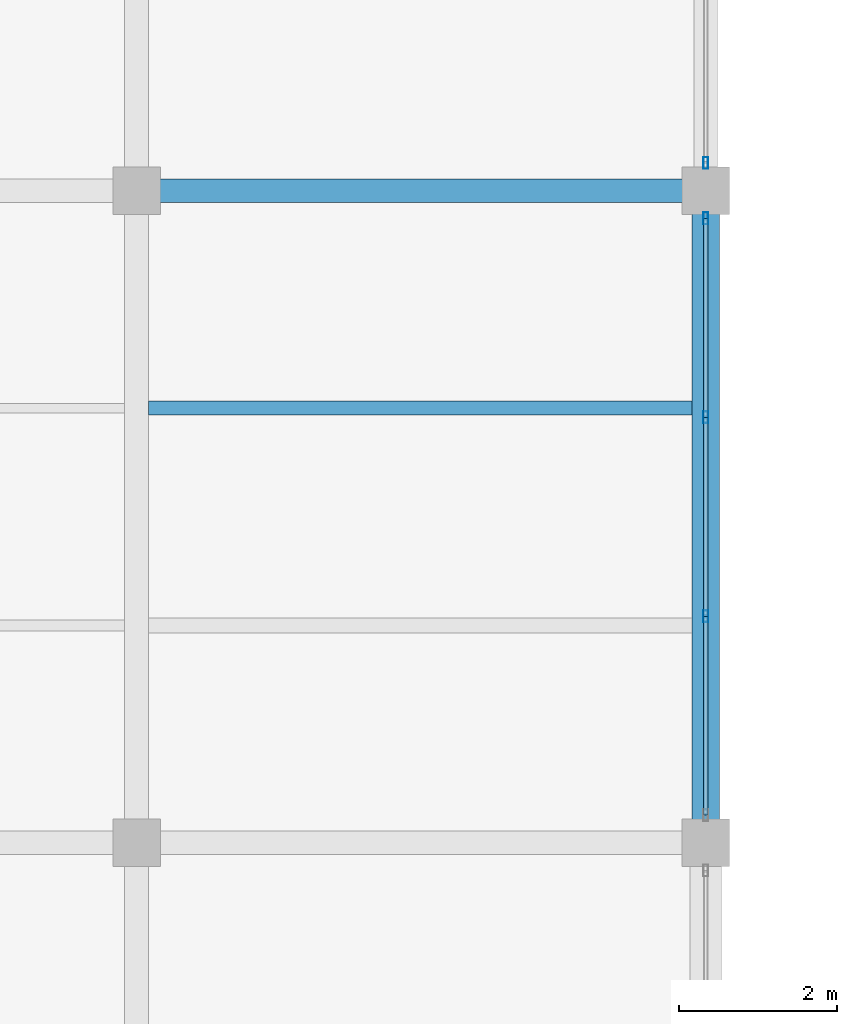
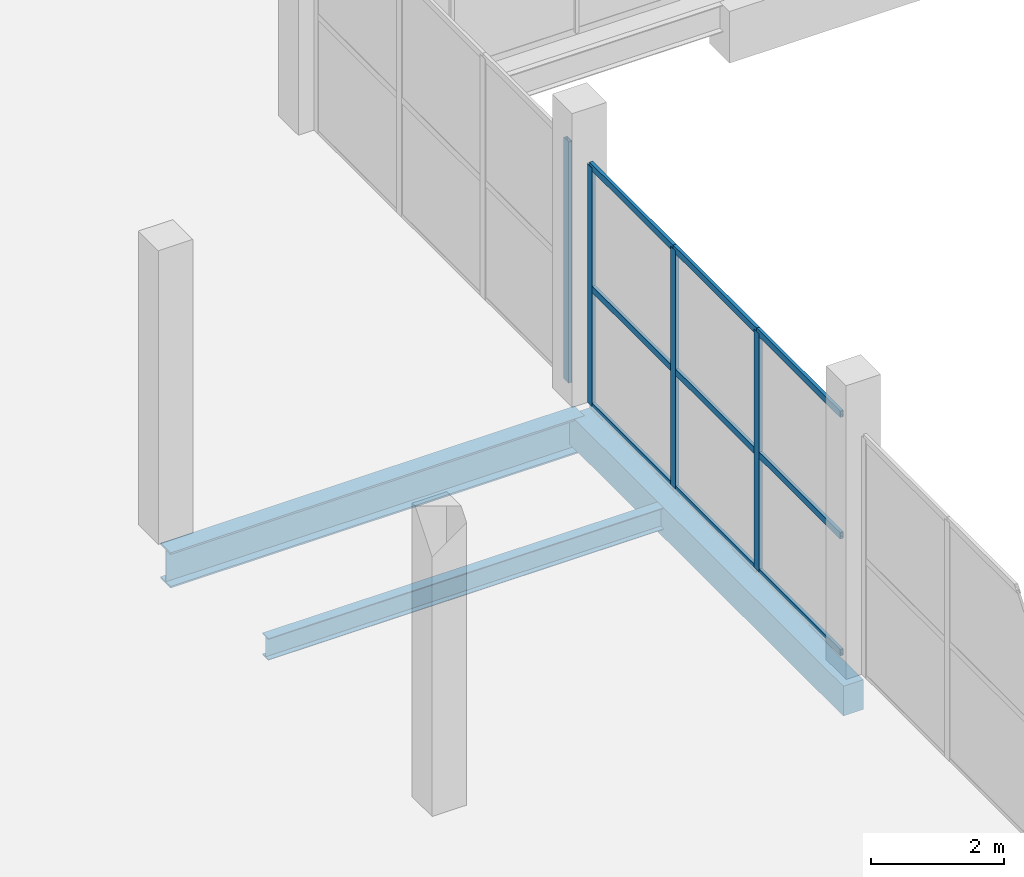
# One storey, part 54 of 141: 13 members, 3 beams, 2 elements without a shape of their own.
"""IFC4 building model written with IfcOpenShell, lengths in metres."""

from ifc_helpers import new_model, si_unit, direction, frame, origin, origin_2d, place, context, subcontext, project, spatial, rectangle, hollow_rectangle, i_section, extrude, material, layer, layer_set, material_profile, profile_set, type_object, element, aggregate, save


model = new_model("IFC4")

# Units and contexts
model_context = context("Model", 3, precision=1e-05, world=origin(), true_north=direction((0.0, 1.0)))
body_context = subcontext(model_context, "Body", "Model", "MODEL_VIEW")
ifc_project = project(units=[si_unit("LENGTHUNIT", "METRE"), si_unit("AREAUNIT", "SQUARE_METRE"), si_unit("VOLUMEUNIT", "CUBIC_METRE"), si_unit("PLANEANGLEUNIT", "RADIAN"), si_unit("MASSUNIT", "GRAM", prefix="KILO")], contexts=[model_context])

# Site, building, storey
site_placement = place(None, origin())
site = spatial("IfcSite", under=ifc_project, at=site_placement, CompositionType="ELEMENT")
building_placement = place(site_placement, origin())
building = spatial("IfcBuilding", under=site, at=building_placement, Name="Sundgate Opera House", CompositionType="ELEMENT")
storey_placement = place(building_placement, frame((0.0, 0.0, 11.39990234375)))
storey = spatial("IfcBuildingStorey", under=building, at=storey_placement, Name="L02", CompositionType="ELEMENT", Elevation=11.39990234375)

# Beams
ifc_material_1 = material(Name="Steel S355J2", Category="steel")
ifc_material_profile_1 = material_profile(ifc_material_1, i_section(OverallWidth=0.300048828125, OverallDepth=0.64990234375, WebThickness=0.01611328125, FlangeThickness=0.031005859375, at=origin_2d()), Name="HEB 650")
ifc_profile_set_1 = profile_set([ifc_material_profile_1], Name="Steel S355J2")
beam_type_1 = type_object("IfcBeamType", Name="BM-GR-HEB650", PredefinedType="BEAM", material=ifc_profile_set_1)
beam_1_placement = place(storey_placement, frame((117.0, 103.5, -0.6748046875), z_axis=(1.0, 0.0, 0.0), x_axis=(0.0, 1.0, 0.0)))
element("IfcBeam", 1, at=beam_1_placement, inside=storey, type_object=beam_type_1, Name="L02 Primary E-W Girder B2092", PredefinedType="BEAM", context=body_context, shape_type="SweptSolid", body=[
    extrude(i_section(OverallWidth=0.300048828125, OverallDepth=0.64990234375, WebThickness=0.01611328125, FlangeThickness=0.031005859375, at=origin_2d()), origin(), (0.0, 0.0, 1.0), 7.199951171875),
])
ifc_material_2 = material(Name="Steel S355J2", Category="steel")
ifc_material_profile_2 = material_profile(ifc_material_2, i_section(OverallWidth=0.179931640625, OverallDepth=0.39990234375, WebThickness=0.008544921875, FlangeThickness=0.013427734375, at=origin_2d()), Name="IPE 400")
ifc_profile_set_2 = profile_set([ifc_material_profile_2], Name="Steel S355J2")
beam_type_2 = type_object("IfcBeamType", Name="BM-JS-IPE400", PredefinedType="JOIST", material=ifc_profile_set_2)
beam_2_placement = place(storey_placement, frame((117.14990234375, 100.75, -0.5498046875), z_axis=(1.0, 0.0, 0.0), x_axis=(0.0, 1.0, 0.0)))
element("IfcBeam", 2, at=beam_2_placement, inside=storey, type_object=beam_type_2, Name="L02 Secondary Floor Joist B2382", PredefinedType="JOIST", context=body_context, shape_type="SweptSolid", body=[
    extrude(i_section(OverallWidth=0.179931640625, OverallDepth=0.39990234375, WebThickness=0.008544921875, FlangeThickness=0.013427734375, at=origin_2d()), origin(), (0.0, 0.0, 1.0), 6.875),
])
ifc_material_3 = material(Name="Concrete C35/45", Category="concrete")
ifc_material_profile_3 = material_profile(ifc_material_3, rectangle(XDim=0.35009765625, YDim=0.550048828125, at=origin_2d()), Name="RC 350x550")
ifc_profile_set_3 = profile_set([ifc_material_profile_3], Name="Concrete C35/45")
beam_type_3 = type_object("IfcBeamType", Name="BM-RC-350x550", PredefinedType="BEAM", material=ifc_profile_set_3)
beam_3_placement = place(storey_placement, frame((124.199951171875, 95.25, -0.625), z_axis=(0.0, 1.0, 0.0), x_axis=(-1.0, 0.0, 0.0)))
element("IfcBeam", 3, at=beam_3_placement, inside=storey, type_object=beam_type_3, Name="L02 Primary N-S Girder B1900", PredefinedType="BEAM", context=body_context, shape_type="SweptSolid", body=[
    extrude(rectangle(XDim=0.35009765625, YDim=0.550048828125, at=origin_2d()), origin(), (0.0, 0.0, 1.0), 8.25),
])

# Curtain wall, members
ifc_material_4 = material(Name="Anodized aluminium and low-iron glass", Category="aluminium")
ifc_layer = layer(ifc_material_4, 0.159912109375)
ifc_layer_set = layer_set([ifc_layer], Name="Anodized aluminium and low-iron glass")
curtain_wall_type = type_object("IfcCurtainWallType", Name="CW-STUDIO-DARK", PredefinedType="NOTDEFINED", material=ifc_layer_set)
curtain_wall_1_placement = place(storey_placement, origin())
curtain_wall_1 = element("IfcCurtainWall", 4, at=curtain_wall_1_placement, inside=storey, type_object=curtain_wall_type, Name="L02 Curtain Wall CW118", PredefinedType="NOTDEFINED")
ifc_material_5 = material(Name="Anodized aluminium EN AW-6063", Category="aluminium")
ifc_material_profile_4 = material_profile(ifc_material_5, hollow_rectangle(XDim=0.06005859375, YDim=0.14990234375, WallThickness=0.00390625, at=origin_2d()), Name="CWM 150x60x4")
ifc_profile_set_4 = profile_set([ifc_material_profile_4], Name="Anodized aluminium EN AW-6063")
member_type_1 = type_object("IfcMemberType", Name="CWM-ALU-150x60", PredefinedType="MULLION", material=ifc_profile_set_4)
member_1_placement = place(storey_placement, frame((124.199951171875, 98.11669921875, 0.0), z_axis=(0.0, 0.0, 1.0), x_axis=(1.0, 0.0, 0.0)))
member_1 = element("IfcMember", 5, at=member_1_placement, type_object=member_type_1, Name="CW118 Mullion 2", PredefinedType="MULLION", context=body_context, shape_type="SweptSolid", body=[
    extrude(hollow_rectangle(XDim=0.06005859375, YDim=0.14990234375, WallThickness=0.00390625, at=origin_2d()), origin(), (0.0, 0.0, 1.0), 4.385009765625),
])
member_2_placement = place(storey_placement, frame((124.199951171875, 100.63330078125, 0.0), z_axis=(0.0, 0.0, 1.0), x_axis=(1.0, 0.0, 0.0)))
member_2 = element("IfcMember", 6, at=member_2_placement, type_object=member_type_1, Name="CW118 Mullion 3", PredefinedType="MULLION", context=body_context, shape_type="SweptSolid", body=[
    extrude(hollow_rectangle(XDim=0.06005859375, YDim=0.14990234375, WallThickness=0.00390625, at=origin_2d()), origin(), (0.0, 0.0, 1.0), 4.385009765625),
])
member_3_placement = place(storey_placement, frame((124.199951171875, 103.14990234375, 0.0), z_axis=(0.0, 0.0, 1.0), x_axis=(1.0, 0.0, 0.0)))
member_3 = element("IfcMember", 7, at=member_3_placement, type_object=member_type_1, Name="CW118 Mullion 4", PredefinedType="MULLION", context=body_context, shape_type="SweptSolid", body=[
    extrude(hollow_rectangle(XDim=0.06005859375, YDim=0.14990234375, WallThickness=0.00390625, at=origin_2d()), origin(), (0.0, 0.0, 1.0), 4.385009765625),
])

# Curtain wall, member
curtain_wall_2_placement = place(storey_placement, origin())
curtain_wall_2 = element("IfcCurtainWall", 8, at=curtain_wall_2_placement, inside=storey, type_object=curtain_wall_type, Name="L02 Curtain Wall CW120", PredefinedType="NOTDEFINED")
member_4_placement = place(storey_placement, frame((124.199951171875, 103.85009765625, 0.0), z_axis=(0.0, 0.0, 1.0), x_axis=(1.0, 0.0, 0.0)))
member_4 = element("IfcMember", 9, at=member_4_placement, type_object=member_type_1, Name="CW120 Mullion 1", PredefinedType="MULLION", context=body_context, shape_type="SweptSolid", body=[
    extrude(hollow_rectangle(XDim=0.06005859375, YDim=0.14990234375, WallThickness=0.00390625, at=origin_2d()), origin(), (0.0, 0.0, 1.0), 4.43505859375),
])
aggregate(curtain_wall_2, [member_4])

# Member
ifc_material_6 = material(Name="Anodized aluminium EN AW-6063", Category="aluminium")
ifc_material_profile_5 = material_profile(ifc_material_6, hollow_rectangle(XDim=0.054931640625, YDim=0.1201171875, WallThickness=0.00390625, at=origin_2d()), Name="CWT 120x55x4")
ifc_profile_set_5 = profile_set([ifc_material_profile_5], Name="Anodized aluminium EN AW-6063")
member_type_2 = type_object("IfcMemberType", Name="CWT-ALU-120x55", PredefinedType="USERDEFINED", material=ifc_profile_set_5)
member_5_placement = place(storey_placement, frame((124.199951171875, 95.60009765625, 0.0), z_axis=(0.0, 1.0, 0.0), x_axis=(-1.0, 0.0, 0.0)))
member_5 = element("IfcMember", 10, at=member_5_placement, type_object=member_type_2, Name="CW118 Transom 1", ObjectType="TRANSOM", PredefinedType="USERDEFINED", context=body_context, shape_type="SweptSolid", body=[
    extrude(hollow_rectangle(XDim=0.054931640625, YDim=0.1201171875, WallThickness=0.00390625, at=origin_2d()), origin(), (0.0, 0.0, 1.0), 2.5166015625),
])

member_6_placement = place(storey_placement, frame((124.199951171875, 95.60009765625, 2.150146484375), z_axis=(0.0, 1.0, 0.0), x_axis=(-1.0, 0.0, 0.0)))
member_6 = element("IfcMember", 11, at=member_6_placement, type_object=member_type_2, Name="CW118 Transom 2", ObjectType="TRANSOM", PredefinedType="USERDEFINED", context=body_context, shape_type="SweptSolid", body=[
    extrude(hollow_rectangle(XDim=0.054931640625, YDim=0.1201171875, WallThickness=0.00390625, at=origin_2d()), origin(), (0.0, 0.0, 1.0), 2.5166015625),
])

member_7_placement = place(storey_placement, frame((124.199951171875, 95.60009765625, 4.385009765625), z_axis=(0.0, 1.0, 0.0), x_axis=(-1.0, 0.0, 0.0)))
member_7 = element("IfcMember", 12, at=member_7_placement, type_object=member_type_2, Name="CW118 Transom 3", ObjectType="TRANSOM", PredefinedType="USERDEFINED", context=body_context, shape_type="SweptSolid", body=[
    extrude(hollow_rectangle(XDim=0.054931640625, YDim=0.1201171875, WallThickness=0.00390625, at=origin_2d()), origin(), (0.0, 0.0, 1.0), 2.5166015625),
])

member_8_placement = place(storey_placement, frame((124.199951171875, 98.11669921875, 0.0), z_axis=(0.0, 1.0, 0.0), x_axis=(-1.0, 0.0, 0.0)))
member_8 = element("IfcMember", 13, at=member_8_placement, type_object=member_type_2, Name="CW118 Transom 4", ObjectType="TRANSOM", PredefinedType="USERDEFINED", context=body_context, shape_type="SweptSolid", body=[
    extrude(hollow_rectangle(XDim=0.054931640625, YDim=0.1201171875, WallThickness=0.00390625, at=origin_2d()), origin(), (0.0, 0.0, 1.0), 2.5166015625),
])

member_9_placement = place(storey_placement, frame((124.199951171875, 98.11669921875, 2.150146484375), z_axis=(0.0, 1.0, 0.0), x_axis=(-1.0, 0.0, 0.0)))
member_9 = element("IfcMember", 14, at=member_9_placement, type_object=member_type_2, Name="CW118 Transom 5", ObjectType="TRANSOM", PredefinedType="USERDEFINED", context=body_context, shape_type="SweptSolid", body=[
    extrude(hollow_rectangle(XDim=0.054931640625, YDim=0.1201171875, WallThickness=0.00390625, at=origin_2d()), origin(), (0.0, 0.0, 1.0), 2.5166015625),
])

member_10_placement = place(storey_placement, frame((124.199951171875, 98.11669921875, 4.385009765625), z_axis=(0.0, 1.0, 0.0), x_axis=(-1.0, 0.0, 0.0)))
member_10 = element("IfcMember", 15, at=member_10_placement, type_object=member_type_2, Name="CW118 Transom 6", ObjectType="TRANSOM", PredefinedType="USERDEFINED", context=body_context, shape_type="SweptSolid", body=[
    extrude(hollow_rectangle(XDim=0.054931640625, YDim=0.1201171875, WallThickness=0.00390625, at=origin_2d()), origin(), (0.0, 0.0, 1.0), 2.5166015625),
])

member_11_placement = place(storey_placement, frame((124.199951171875, 100.63330078125, 0.0), z_axis=(0.0, 1.0, 0.0), x_axis=(-1.0, 0.0, 0.0)))
member_11 = element("IfcMember", 16, at=member_11_placement, type_object=member_type_2, Name="CW118 Transom 7", ObjectType="TRANSOM", PredefinedType="USERDEFINED", context=body_context, shape_type="SweptSolid", body=[
    extrude(hollow_rectangle(XDim=0.054931640625, YDim=0.1201171875, WallThickness=0.00390625, at=origin_2d()), origin(), (0.0, 0.0, 1.0), 2.5166015625),
])

member_12_placement = place(storey_placement, frame((124.199951171875, 100.63330078125, 2.150146484375), z_axis=(0.0, 1.0, 0.0), x_axis=(-1.0, 0.0, 0.0)))
member_12 = element("IfcMember", 17, at=member_12_placement, type_object=member_type_2, Name="CW118 Transom 8", ObjectType="TRANSOM", PredefinedType="USERDEFINED", context=body_context, shape_type="SweptSolid", body=[
    extrude(hollow_rectangle(XDim=0.054931640625, YDim=0.1201171875, WallThickness=0.00390625, at=origin_2d()), origin(), (0.0, 0.0, 1.0), 2.5166015625),
])

member_13_placement = place(storey_placement, frame((124.199951171875, 100.63330078125, 4.385009765625), z_axis=(0.0, 1.0, 0.0), x_axis=(-1.0, 0.0, 0.0)))
member_13 = element("IfcMember", 18, at=member_13_placement, type_object=member_type_2, Name="CW118 Transom 9", ObjectType="TRANSOM", PredefinedType="USERDEFINED", context=body_context, shape_type="SweptSolid", body=[
    extrude(hollow_rectangle(XDim=0.054931640625, YDim=0.1201171875, WallThickness=0.00390625, at=origin_2d()), origin(), (0.0, 0.0, 1.0), 2.5166015625),
])

aggregate(curtain_wall_1, [member_1, member_2, member_3, member_5, member_6, member_7, member_8, member_9, member_10, member_11, member_12, member_13])

save(model, "model.ifc")
